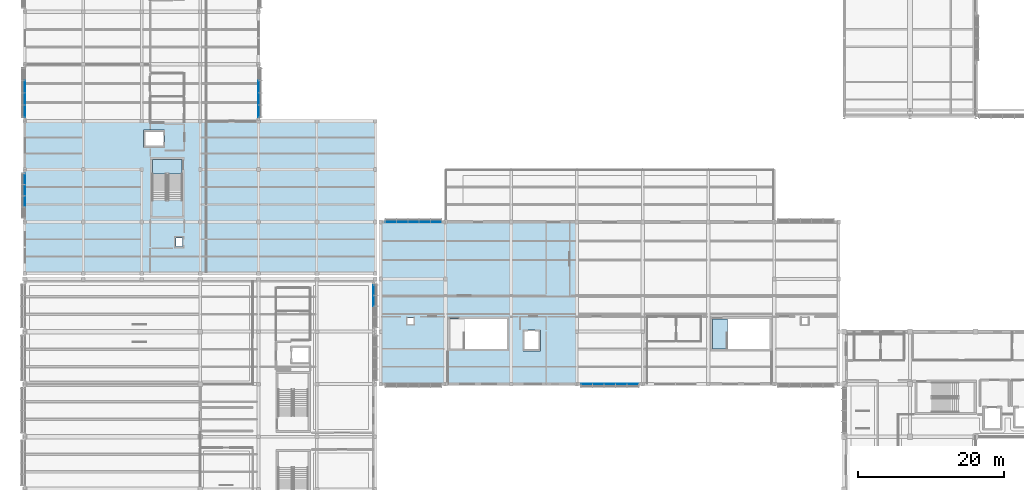
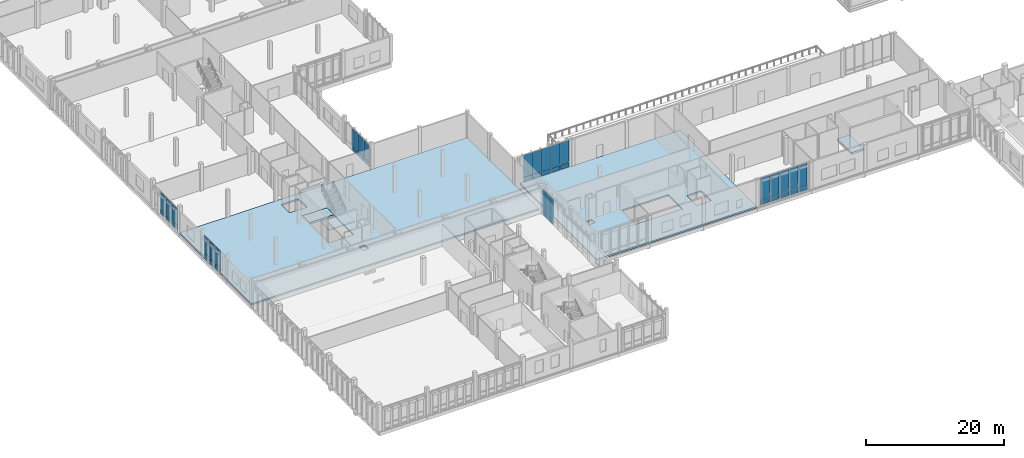
# One storey, part 134 of 177: 42 plates, 5 slabs, 7 elements without a shape of their own.
"""IFC4 building model written with IfcOpenShell, lengths in metres."""

from ifc_helpers import new_model, si_unit, direction, frame, origin, origin_2d, place, context, subcontext, project, spatial, polyline, rectangle, outline, extrude, material, layer, layer_set, type_object, element, aggregate, save


model = new_model("IFC4")

# Units and contexts
model_context = context("Model", 3, precision=1e-05, world=origin(), true_north=direction((0.0, 1.0)))
body_context = subcontext(model_context, "Body", "Model", "MODEL_VIEW")
ifc_project = project(units=[si_unit("LENGTHUNIT", "METRE"), si_unit("AREAUNIT", "SQUARE_METRE"), si_unit("VOLUMEUNIT", "CUBIC_METRE"), si_unit("PLANEANGLEUNIT", "RADIAN"), si_unit("MASSUNIT", "GRAM", prefix="KILO")], contexts=[model_context])

# Site, building, storey
site_placement = place(None, origin())
site = spatial("IfcSite", under=ifc_project, at=site_placement, CompositionType="ELEMENT")
building_placement = place(site_placement, origin())
building = spatial("IfcBuilding", under=site, at=building_placement, Name="Chiffa Square Polytechnic", CompositionType="ELEMENT")
storey_placement = place(building_placement, frame((0.0, 0.0, 4.800048828125)))
storey = spatial("IfcBuildingStorey", under=building, at=storey_placement, Name="L01", CompositionType="ELEMENT", Elevation=4.800048828125)

# Curtain wall, plates
ifc_material_1 = material(Name="Aluminium EN AW-6060 T66 and glulam shading", Category="wood")
curtain_wall_type_1 = type_object("IfcCurtainWallType", Name="CW-VERT-360X380", PredefinedType="USERDEFINED", material=ifc_material_1)
curtain_wall_1_placement = place(storey_placement, origin())
curtain_wall_1 = element("IfcCurtainWall", 1, at=curtain_wall_1_placement, inside=storey, type_object=curtain_wall_type_1, Name="Curtain wall CW-V6-L01-261", ObjectType="CURTAIN WALL", PredefinedType="USERDEFINED")
ifc_material_2 = material(Name="Double glazing", Category="glass")
ifc_layer_1 = layer(ifc_material_2, 0.0458984375, Name="Double glazing")
ifc_layer_set_1 = layer_set([ifc_layer_1], Name="Double glazing")
plate_type_1 = type_object("IfcPlateType", Name="CWP-GLZ-128X106", PredefinedType="CURTAIN_PANEL", material=ifc_layer_set_1)
plate_1_placement = place(storey_placement, frame((0.0, 62.340087890625, 0.839599609375), z_axis=(0.0, 0.0, 1.0), x_axis=(0.0, -1.0, 0.0)))
plate_1 = element("IfcPlate", 2, at=plate_1_placement, type_object=plate_type_1, Name="Glazed curtain panel CW-V6-L01-261-PN02", PredefinedType="CURTAIN_PANEL", context=body_context, shape_type="SweptSolid", body=[
    extrude(rectangle(XDim=1.6279296875, YDim=0.0458984375, at=origin_2d()), origin(), (0.0, 0.0, 1.0), 3.02490234375),
])
plate_2_placement = place(storey_placement, frame((0.0, 60.659912109375, 0.839599609375), z_axis=(0.0, 0.0, 1.0), x_axis=(0.0, -1.0, 0.0)))
plate_2 = element("IfcPlate", 3, at=plate_2_placement, type_object=plate_type_1, Name="Glazed curtain panel CW-V6-L01-261-PN03", PredefinedType="CURTAIN_PANEL", context=body_context, shape_type="SweptSolid", body=[
    extrude(rectangle(XDim=1.6279296875, YDim=0.0458984375, at=origin_2d()), origin(), (0.0, 0.0, 1.0), 3.02490234375),
])
plate_3_placement = place(storey_placement, frame((0.0, 58.990966796875, 0.839599609375), z_axis=(0.0, 0.0, 1.0), x_axis=(0.0, -1.0, 0.0)))
plate_3 = element("IfcPlate", 4, at=plate_3_placement, type_object=plate_type_1, Name="Glazed curtain panel CW-V6-L01-261-PN04", PredefinedType="CURTAIN_PANEL", context=body_context, shape_type="SweptSolid", body=[
    extrude(rectangle(XDim=1.60595703125, YDim=0.0458984375, at=origin_2d()), origin(), (0.0, 0.0, 1.0), 3.02490234375),
])

curtain_wall_type_2 = type_object("IfcCurtainWallType", Name="CW-VERT-540X440", PredefinedType="USERDEFINED", material=ifc_material_1)
curtain_wall_2_placement = place(storey_placement, origin())
curtain_wall_2 = element("IfcCurtainWall", 5, at=curtain_wall_2_placement, inside=storey, type_object=curtain_wall_type_2, Name="Curtain wall CW-V3-L01-159", ObjectType="CURTAIN WALL", PredefinedType="USERDEFINED")
ifc_layer_2 = layer(ifc_material_2, 0.0419921875, Name="Double glazing")
ifc_layer_set_2 = layer_set([ifc_layer_2], Name="Double glazing")
plate_type_2 = type_object("IfcPlateType", Name="CWP-GLZ-136X122", PredefinedType="CURTAIN_PANEL", material=ifc_layer_set_2)
plate_4_placement = place(storey_placement, frame((47.75, 33.009033203125, 0.83984375), z_axis=(0.0, 0.0, 1.0), x_axis=(0.0, 1.0, 0.0)))
plate_4 = element("IfcPlate", 6, at=plate_4_placement, type_object=plate_type_2, Name="Glazed curtain panel CW-V3-L01-159-PN03", PredefinedType="CURTAIN_PANEL", context=body_context, shape_type="SweptSolid", body=[
    extrude(rectangle(XDim=1.416015625, YDim=0.0419921875, at=origin_2d()), origin(), (0.0, 0.0, 1.0), 3.590087890625),
])
plate_5_placement = place(storey_placement, frame((47.75, 34.465087890625, 0.83984375), z_axis=(0.0, 0.0, 1.0), x_axis=(0.0, 1.0, 0.0)))
plate_5 = element("IfcPlate", 7, at=plate_5_placement, type_object=plate_type_2, Name="Glazed curtain panel CW-V3-L01-159-PN04", PredefinedType="CURTAIN_PANEL", context=body_context, shape_type="SweptSolid", body=[
    extrude(rectangle(XDim=1.39404296875, YDim=0.0419921875, at=origin_2d()), origin(), (0.0, 0.0, 1.0), 3.590087890625),
])

curtain_wall_type_3 = type_object("IfcCurtainWallType", Name="CW-VERT-300X380", PredefinedType="USERDEFINED", material=ifc_material_1)
curtain_wall_3_placement = place(storey_placement, origin())
curtain_wall_3 = element("IfcCurtainWall", 8, at=curtain_wall_3_placement, inside=storey, type_object=curtain_wall_type_3, Name="Curtain wall CW-V4-L01-187", ObjectType="CURTAIN WALL", PredefinedType="USERDEFINED")
plate_6_placement = place(storey_placement, frame((56.281982421875, 43.800048828125, 0.83984375), z_axis=(0.0, 0.0, 1.0), x_axis=(-1.0, 0.0, 0.0)))
plate_6 = element("IfcPlate", 9, at=plate_6_placement, type_object=plate_type_2, Name="Glazed curtain panel CW-V4-L01-187-PN01", PredefinedType="CURTAIN_PANEL", context=body_context, shape_type="SweptSolid", body=[
    extrude(rectangle(XDim=1.4599609375, YDim=0.0419921875, at=origin_2d()), origin(), (0.0, 0.0, 1.0), 3.909912109375),
])
plate_7_placement = place(storey_placement, frame((54.759033203125, 43.800048828125, 0.83984375), z_axis=(0.0, 0.0, 1.0), x_axis=(-1.0, 0.0, 0.0)))
plate_7 = element("IfcPlate", 10, at=plate_7_placement, type_object=plate_type_2, Name="Glazed curtain panel CW-V4-L01-187-PN02", PredefinedType="CURTAIN_PANEL", context=body_context, shape_type="SweptSolid", body=[
    extrude(rectangle(XDim=1.48193359375, YDim=0.0419921875, at=origin_2d()), origin(), (0.0, 0.0, 1.0), 3.909912109375),
])
plate_8_placement = place(storey_placement, frame((53.22509765625, 43.800048828125, 0.83984375), z_axis=(0.0, 0.0, 1.0), x_axis=(-1.0, 0.0, 0.0)))
plate_8 = element("IfcPlate", 11, at=plate_8_placement, type_object=plate_type_2, Name="Glazed curtain panel CW-V4-L01-187-PN03", PredefinedType="CURTAIN_PANEL", context=body_context, shape_type="SweptSolid", body=[
    extrude(rectangle(XDim=1.48193359375, YDim=0.0419921875, at=origin_2d()), origin(), (0.0, 0.0, 1.0), 3.909912109375),
])
plate_9_placement = place(storey_placement, frame((51.69091796875, 43.800048828125, 0.83984375), z_axis=(0.0, 0.0, 1.0), x_axis=(-1.0, 0.0, 0.0)))
plate_9 = element("IfcPlate", 12, at=plate_9_placement, type_object=plate_type_2, Name="Glazed curtain panel CW-V4-L01-187-PN04", PredefinedType="CURTAIN_PANEL", context=body_context, shape_type="SweptSolid", body=[
    extrude(rectangle(XDim=1.48193359375, YDim=0.0419921875, at=origin_2d()), origin(), (0.0, 0.0, 1.0), 3.909912109375),
])
plate_10_placement = place(storey_placement, frame((50.16796875, 43.800048828125, 0.83984375), z_axis=(0.0, 0.0, 1.0), x_axis=(-1.0, 0.0, 0.0)))
plate_10 = element("IfcPlate", 13, at=plate_10_placement, type_object=plate_type_2, Name="Glazed curtain panel CW-V4-L01-187-PN05", PredefinedType="CURTAIN_PANEL", context=body_context, shape_type="SweptSolid", body=[
    extrude(rectangle(XDim=1.4599609375, YDim=0.0419921875, at=origin_2d()), origin(), (0.0, 0.0, 1.0), 3.909912109375),
])

curtain_wall_4_placement = place(storey_placement, origin())
curtain_wall_4 = element("IfcCurtainWall", 14, at=curtain_wall_4_placement, inside=storey, type_object=curtain_wall_type_2, Name="Curtain wall CW-V6-L01-255", ObjectType="CURTAIN WALL", PredefinedType="USERDEFINED")
ifc_layer_3 = layer(ifc_material_2, 0.0400390625, Name="Double glazing")
ifc_layer_set_3 = layer_set([ifc_layer_3], Name="Double glazing")
plate_type_3 = type_object("IfcPlateType", Name="CWP-GLZ-140X130", PredefinedType="CURTAIN_PANEL", material=ifc_layer_set_3)
plate_11_placement = place(storey_placement, frame((32.0, 58.990966796875, 0.839599609375), z_axis=(0.0, 0.0, 1.0), x_axis=(0.0, 1.0, 0.0)))
plate_11 = element("IfcPlate", 15, at=plate_11_placement, type_object=plate_type_3, Name="Glazed curtain panel CW-V6-L01-255-PN01", PredefinedType="CURTAIN_PANEL", context=body_context, shape_type="SweptSolid", body=[
    extrude(rectangle(XDim=1.60595703125, YDim=0.0400390625, at=origin_2d()), origin(), (0.0, 0.0, 1.0), 3.02490234375),
])
plate_12_placement = place(storey_placement, frame((32.0, 60.659912109375, 0.839599609375), z_axis=(0.0, 0.0, 1.0), x_axis=(0.0, 1.0, 0.0)))
plate_12 = element("IfcPlate", 16, at=plate_12_placement, type_object=plate_type_3, Name="Glazed curtain panel CW-V6-L01-255-PN02", PredefinedType="CURTAIN_PANEL", context=body_context, shape_type="SweptSolid", body=[
    extrude(rectangle(XDim=1.6279296875, YDim=0.0400390625, at=origin_2d()), origin(), (0.0, 0.0, 1.0), 3.02490234375),
])
plate_13_placement = place(storey_placement, frame((32.0, 62.340087890625, 0.839599609375), z_axis=(0.0, 0.0, 1.0), x_axis=(0.0, 1.0, 0.0)))
plate_13 = element("IfcPlate", 17, at=plate_13_placement, type_object=plate_type_3, Name="Glazed curtain panel CW-V6-L01-255-PN03", PredefinedType="CURTAIN_PANEL", context=body_context, shape_type="SweptSolid", body=[
    extrude(rectangle(XDim=1.6279296875, YDim=0.0400390625, at=origin_2d()), origin(), (0.0, 0.0, 1.0), 3.02490234375),
])

curtain_wall_type_4 = type_object("IfcCurtainWallType", Name="CW-VERT-450X440", PredefinedType="USERDEFINED", material=ifc_material_1)
curtain_wall_5_placement = place(storey_placement, origin())
curtain_wall_5 = element("IfcCurtainWall", 18, at=curtain_wall_5_placement, inside=storey, type_object=curtain_wall_type_4, Name="Curtain wall CW-V4-L01-184", ObjectType="CURTAIN WALL", PredefinedType="USERDEFINED")
ifc_layer_4 = layer(ifc_material_2, 0.0400390625, Name="Double glazing")
ifc_layer_set_4 = layer_set([ifc_layer_4], Name="Double glazing")
plate_type_4 = type_object("IfcPlateType", Name="CWP-GLZ-144X134", PredefinedType="CURTAIN_PANEL", material=ifc_layer_set_4)
plate_14_placement = place(storey_placement, frame((76.943115234375, 21.60009765625, 0.83984375), z_axis=(0.0, 0.0, 1.0), x_axis=(1.0, 0.0, 0.0)))
plate_14 = element("IfcPlate", 19, at=plate_14_placement, type_object=plate_type_4, Name="Glazed curtain panel CW-V4-L01-184-PN01", PredefinedType="CURTAIN_PANEL", context=body_context, shape_type="SweptSolid", body=[
    extrude(rectangle(XDim=1.510009765625, YDim=0.0400390625, at=origin_2d()), origin(), (0.0, 0.0, 1.0), 3.909912109375),
])
plate_15_placement = place(storey_placement, frame((78.51611328125, 21.60009765625, 0.83984375), z_axis=(0.0, 0.0, 1.0), x_axis=(1.0, 0.0, 0.0)))
plate_15 = element("IfcPlate", 20, at=plate_15_placement, type_object=plate_type_4, Name="Glazed curtain panel CW-V4-L01-184-PN02", PredefinedType="CURTAIN_PANEL", context=body_context, shape_type="SweptSolid", body=[
    extrude(rectangle(XDim=1.531982421875, YDim=0.0400390625, at=origin_2d()), origin(), (0.0, 0.0, 1.0), 3.909912109375),
])
plate_16_placement = place(storey_placement, frame((80.10009765625, 21.60009765625, 0.83984375), z_axis=(0.0, 0.0, 1.0), x_axis=(1.0, 0.0, 0.0)))
plate_16 = element("IfcPlate", 21, at=plate_16_placement, type_object=plate_type_4, Name="Glazed curtain panel CW-V4-L01-184-PN03", PredefinedType="CURTAIN_PANEL", context=body_context, shape_type="SweptSolid", body=[
    extrude(rectangle(XDim=1.531982421875, YDim=0.0400390625, at=origin_2d()), origin(), (0.0, 0.0, 1.0), 3.909912109375),
])
plate_17_placement = place(storey_placement, frame((81.68408203125, 21.60009765625, 0.83984375), z_axis=(0.0, 0.0, 1.0), x_axis=(1.0, 0.0, 0.0)))
plate_17 = element("IfcPlate", 22, at=plate_17_placement, type_object=plate_type_4, Name="Glazed curtain panel CW-V4-L01-184-PN04", PredefinedType="CURTAIN_PANEL", context=body_context, shape_type="SweptSolid", body=[
    extrude(rectangle(XDim=1.531982421875, YDim=0.0400390625, at=origin_2d()), origin(), (0.0, 0.0, 1.0), 3.909912109375),
])
plate_18_placement = place(storey_placement, frame((83.257080078125, 21.60009765625, 0.83984375), z_axis=(0.0, 0.0, 1.0), x_axis=(1.0, 0.0, 0.0)))
plate_18 = element("IfcPlate", 23, at=plate_18_placement, type_object=plate_type_4, Name="Glazed curtain panel CW-V4-L01-184-PN05", PredefinedType="CURTAIN_PANEL", context=body_context, shape_type="SweptSolid", body=[
    extrude(rectangle(XDim=1.510009765625, YDim=0.0400390625, at=origin_2d()), origin(), (0.0, 0.0, 1.0), 3.909912109375),
])

curtain_wall_type_5 = type_object("IfcCurtainWallType", Name="CW-VERT-480X380", PredefinedType="USERDEFINED", material=ifc_material_1)
curtain_wall_6_placement = place(storey_placement, origin())
curtain_wall_6 = element("IfcCurtainWall", 24, at=curtain_wall_6_placement, inside=storey, type_object=curtain_wall_type_5, Name="Curtain wall CW-V6-L01-262", ObjectType="CURTAIN WALL", PredefinedType="USERDEFINED")
ifc_layer_5 = layer(ifc_material_2, 0.035888671875, Name="Double glazing")
ifc_layer_set_5 = layer_set([ifc_layer_5], Name="Double glazing")
plate_type_5 = type_object("IfcPlateType", Name="CWP-GLZ-150X145", PredefinedType="CURTAIN_PANEL", material=ifc_layer_set_5)
plate_19_placement = place(storey_placement, frame((0.0, 49.68408203125, 0.839599609375), z_axis=(0.0, 0.0, 1.0), x_axis=(0.0, -1.0, 0.0)))
plate_19 = element("IfcPlate", 25, at=plate_19_placement, type_object=plate_type_5, Name="Glazed curtain panel CW-V6-L01-262-PN01", PredefinedType="CURTAIN_PANEL", context=body_context, shape_type="SweptSolid", body=[
    extrude(rectangle(XDim=1.4560546875, YDim=0.035888671875, at=origin_2d()), origin(), (0.0, 0.0, 1.0), 3.02490234375),
])
plate_20_placement = place(storey_placement, frame((0.0, 48.1650390625, 0.839599609375), z_axis=(0.0, 0.0, 1.0), x_axis=(0.0, -1.0, 0.0)))
plate_20 = element("IfcPlate", 26, at=plate_20_placement, type_object=plate_type_5, Name="Glazed curtain panel CW-V6-L01-262-PN02", PredefinedType="CURTAIN_PANEL", context=body_context, shape_type="SweptSolid", body=[
    extrude(rectangle(XDim=1.47802734375, YDim=0.035888671875, at=origin_2d()), origin(), (0.0, 0.0, 1.0), 3.02490234375),
])
plate_21_placement = place(storey_placement, frame((0.0, 46.635009765625, 0.839599609375), z_axis=(0.0, 0.0, 1.0), x_axis=(0.0, -1.0, 0.0)))
plate_21 = element("IfcPlate", 27, at=plate_21_placement, type_object=plate_type_5, Name="Glazed curtain panel CW-V6-L01-262-PN03", PredefinedType="CURTAIN_PANEL", context=body_context, shape_type="SweptSolid", body=[
    extrude(rectangle(XDim=1.47802734375, YDim=0.035888671875, at=origin_2d()), origin(), (0.0, 0.0, 1.0), 3.02490234375),
])

# Plate
ifc_material_3 = material(Name="Aluminium insulated spandrel", Category="aluminium")
ifc_layer_6 = layer(ifc_material_3, 0.072021484375, Name="Aluminium insulated spandrel")
ifc_layer_set_6 = layer_set([ifc_layer_6], Name="Aluminium insulated spandrel")
plate_type_6 = type_object("IfcPlateType", Name="CWP-SPN-136X072", PredefinedType="SHEET", material=ifc_layer_set_6)
plate_22_placement = place(storey_placement, frame((0.0, 62.340087890625, 0.050048828125), z_axis=(0.0, 0.0, 1.0), x_axis=(0.0, -1.0, 0.0)))
plate_22 = element("IfcPlate", 28, at=plate_22_placement, type_object=plate_type_6, Name="Spandrel panel CW-V6-L01-261-SP02", PredefinedType="SHEET", context=body_context, shape_type="SweptSolid", body=[
    extrude(rectangle(XDim=1.6279296875, YDim=0.072021484375, at=origin_2d()), origin(), (0.0, 0.0, 1.0), 0.75),
])

plate_23_placement = place(storey_placement, frame((0.0, 60.659912109375, 0.050048828125), z_axis=(0.0, 0.0, 1.0), x_axis=(0.0, -1.0, 0.0)))
plate_23 = element("IfcPlate", 29, at=plate_23_placement, type_object=plate_type_6, Name="Spandrel panel CW-V6-L01-261-SP03", PredefinedType="SHEET", context=body_context, shape_type="SweptSolid", body=[
    extrude(rectangle(XDim=1.6279296875, YDim=0.072021484375, at=origin_2d()), origin(), (0.0, 0.0, 1.0), 0.75),
])

plate_24_placement = place(storey_placement, frame((0.0, 58.990966796875, 0.050048828125), z_axis=(0.0, 0.0, 1.0), x_axis=(0.0, -1.0, 0.0)))
plate_24 = element("IfcPlate", 30, at=plate_24_placement, type_object=plate_type_6, Name="Spandrel panel CW-V6-L01-261-SP04", PredefinedType="SHEET", context=body_context, shape_type="SweptSolid", body=[
    extrude(rectangle(XDim=1.60595703125, YDim=0.072021484375, at=origin_2d()), origin(), (0.0, 0.0, 1.0), 0.75),
])

aggregate(curtain_wall_1, [plate_22, plate_1, plate_23, plate_2, plate_24, plate_3])

ifc_layer_7 = layer(ifc_material_3, 0.068115234375, Name="Aluminium insulated spandrel")
ifc_layer_set_7 = layer_set([ifc_layer_7], Name="Aluminium insulated spandrel")
plate_type_7 = type_object("IfcPlateType", Name="CWP-SPN-140X076", PredefinedType="SHEET", material=ifc_layer_set_7)
plate_25_placement = place(storey_placement, frame((56.281982421875, 43.800048828125, 0.050048828125), z_axis=(0.0, 0.0, 1.0), x_axis=(-1.0, 0.0, 0.0)))
plate_25 = element("IfcPlate", 31, at=plate_25_placement, type_object=plate_type_7, Name="Spandrel panel CW-V4-L01-187-SP01", PredefinedType="SHEET", context=body_context, shape_type="SweptSolid", body=[
    extrude(rectangle(XDim=1.4599609375, YDim=0.068115234375, at=origin_2d()), origin(), (0.0, 0.0, 1.0), 0.75),
])

plate_26_placement = place(storey_placement, frame((54.759033203125, 43.800048828125, 0.050048828125), z_axis=(0.0, 0.0, 1.0), x_axis=(-1.0, 0.0, 0.0)))
plate_26 = element("IfcPlate", 32, at=plate_26_placement, type_object=plate_type_7, Name="Spandrel panel CW-V4-L01-187-SP02", PredefinedType="SHEET", context=body_context, shape_type="SweptSolid", body=[
    extrude(rectangle(XDim=1.48193359375, YDim=0.068115234375, at=origin_2d()), origin(), (0.0, 0.0, 1.0), 0.75),
])

plate_27_placement = place(storey_placement, frame((53.22509765625, 43.800048828125, 0.050048828125), z_axis=(0.0, 0.0, 1.0), x_axis=(-1.0, 0.0, 0.0)))
plate_27 = element("IfcPlate", 33, at=plate_27_placement, type_object=plate_type_7, Name="Spandrel panel CW-V4-L01-187-SP03", PredefinedType="SHEET", context=body_context, shape_type="SweptSolid", body=[
    extrude(rectangle(XDim=1.48193359375, YDim=0.068115234375, at=origin_2d()), origin(), (0.0, 0.0, 1.0), 0.75),
])

plate_28_placement = place(storey_placement, frame((51.69091796875, 43.800048828125, 0.050048828125), z_axis=(0.0, 0.0, 1.0), x_axis=(-1.0, 0.0, 0.0)))
plate_28 = element("IfcPlate", 34, at=plate_28_placement, type_object=plate_type_7, Name="Spandrel panel CW-V4-L01-187-SP04", PredefinedType="SHEET", context=body_context, shape_type="SweptSolid", body=[
    extrude(rectangle(XDim=1.48193359375, YDim=0.068115234375, at=origin_2d()), origin(), (0.0, 0.0, 1.0), 0.75),
])

plate_29_placement = place(storey_placement, frame((50.16796875, 43.800048828125, 0.050048828125), z_axis=(0.0, 0.0, 1.0), x_axis=(-1.0, 0.0, 0.0)))
plate_29 = element("IfcPlate", 35, at=plate_29_placement, type_object=plate_type_7, Name="Spandrel panel CW-V4-L01-187-SP05", PredefinedType="SHEET", context=body_context, shape_type="SweptSolid", body=[
    extrude(rectangle(XDim=1.4599609375, YDim=0.068115234375, at=origin_2d()), origin(), (0.0, 0.0, 1.0), 0.75),
])

aggregate(curtain_wall_3, [plate_25, plate_6, plate_26, plate_7, plate_27, plate_8, plate_28, plate_9, plate_29, plate_10])

ifc_layer_8 = layer(ifc_material_3, 0.06201171875, Name="Aluminium insulated spandrel")
ifc_layer_set_8 = layer_set([ifc_layer_8], Name="Aluminium insulated spandrel")
plate_type_8 = type_object("IfcPlateType", Name="CWP-SPN-148X084", PredefinedType="SHEET", material=ifc_layer_set_8)
plate_30_placement = place(storey_placement, frame((76.943115234375, 21.60009765625, 0.050048828125), z_axis=(0.0, 0.0, 1.0), x_axis=(1.0, 0.0, 0.0)))
plate_30 = element("IfcPlate", 36, at=plate_30_placement, type_object=plate_type_8, Name="Spandrel panel CW-V4-L01-184-SP01", PredefinedType="SHEET", context=body_context, shape_type="SweptSolid", body=[
    extrude(rectangle(XDim=1.510009765625, YDim=0.06201171875, at=origin_2d()), origin(), (0.0, 0.0, 1.0), 0.75),
])

plate_31_placement = place(storey_placement, frame((78.51611328125, 21.60009765625, 0.050048828125), z_axis=(0.0, 0.0, 1.0), x_axis=(1.0, 0.0, 0.0)))
plate_31 = element("IfcPlate", 37, at=plate_31_placement, type_object=plate_type_8, Name="Spandrel panel CW-V4-L01-184-SP02", PredefinedType="SHEET", context=body_context, shape_type="SweptSolid", body=[
    extrude(rectangle(XDim=1.531982421875, YDim=0.06201171875, at=origin_2d()), origin(), (0.0, 0.0, 1.0), 0.75),
])

plate_32_placement = place(storey_placement, frame((80.10009765625, 21.60009765625, 0.050048828125), z_axis=(0.0, 0.0, 1.0), x_axis=(1.0, 0.0, 0.0)))
plate_32 = element("IfcPlate", 38, at=plate_32_placement, type_object=plate_type_8, Name="Spandrel panel CW-V4-L01-184-SP03", PredefinedType="SHEET", context=body_context, shape_type="SweptSolid", body=[
    extrude(rectangle(XDim=1.531982421875, YDim=0.06201171875, at=origin_2d()), origin(), (0.0, 0.0, 1.0), 0.75),
])

plate_33_placement = place(storey_placement, frame((81.68408203125, 21.60009765625, 0.050048828125), z_axis=(0.0, 0.0, 1.0), x_axis=(1.0, 0.0, 0.0)))
plate_33 = element("IfcPlate", 39, at=plate_33_placement, type_object=plate_type_8, Name="Spandrel panel CW-V4-L01-184-SP04", PredefinedType="SHEET", context=body_context, shape_type="SweptSolid", body=[
    extrude(rectangle(XDim=1.531982421875, YDim=0.06201171875, at=origin_2d()), origin(), (0.0, 0.0, 1.0), 0.75),
])

plate_34_placement = place(storey_placement, frame((83.257080078125, 21.60009765625, 0.050048828125), z_axis=(0.0, 0.0, 1.0), x_axis=(1.0, 0.0, 0.0)))
plate_34 = element("IfcPlate", 40, at=plate_34_placement, type_object=plate_type_8, Name="Spandrel panel CW-V4-L01-184-SP05", PredefinedType="SHEET", context=body_context, shape_type="SweptSolid", body=[
    extrude(rectangle(XDim=1.510009765625, YDim=0.06201171875, at=origin_2d()), origin(), (0.0, 0.0, 1.0), 0.75),
])

aggregate(curtain_wall_5, [plate_30, plate_14, plate_31, plate_15, plate_32, plate_16, plate_33, plate_17, plate_34, plate_18])

ifc_layer_9 = layer(ifc_material_3, 0.06005859375, Name="Aluminium insulated spandrel")
ifc_layer_set_9 = layer_set([ifc_layer_9], Name="Aluminium insulated spandrel")
plate_type_9 = type_object("IfcPlateType", Name="CWP-SPN-150X080", PredefinedType="SHEET", material=ifc_layer_set_9)
plate_35_placement = place(storey_placement, frame((47.75, 33.009033203125, 0.050048828125), z_axis=(0.0, 0.0, 1.0), x_axis=(0.0, 1.0, 0.0)))
plate_35 = element("IfcPlate", 41, at=plate_35_placement, type_object=plate_type_9, Name="Spandrel panel CW-V3-L01-159-SP03", PredefinedType="SHEET", context=body_context, shape_type="SweptSolid", body=[
    extrude(rectangle(XDim=1.416015625, YDim=0.06005859375, at=origin_2d()), origin(), (0.0, 0.0, 1.0), 0.75),
])

plate_36_placement = place(storey_placement, frame((47.75, 34.465087890625, 0.050048828125), z_axis=(0.0, 0.0, 1.0), x_axis=(0.0, 1.0, 0.0)))
plate_36 = element("IfcPlate", 42, at=plate_36_placement, type_object=plate_type_9, Name="Spandrel panel CW-V3-L01-159-SP04", PredefinedType="SHEET", context=body_context, shape_type="SweptSolid", body=[
    extrude(rectangle(XDim=1.39404296875, YDim=0.06005859375, at=origin_2d()), origin(), (0.0, 0.0, 1.0), 0.75),
])

aggregate(curtain_wall_2, [plate_35, plate_4, plate_36, plate_5])

plate_37_placement = place(storey_placement, frame((32.0, 58.990966796875, 0.050048828125), z_axis=(0.0, 0.0, 1.0), x_axis=(0.0, 1.0, 0.0)))
plate_37 = element("IfcPlate", 43, at=plate_37_placement, type_object=plate_type_9, Name="Spandrel panel CW-V6-L01-255-SP01", PredefinedType="SHEET", context=body_context, shape_type="SweptSolid", body=[
    extrude(rectangle(XDim=1.60595703125, YDim=0.06005859375, at=origin_2d()), origin(), (0.0, 0.0, 1.0), 0.75),
])

plate_38_placement = place(storey_placement, frame((32.0, 60.659912109375, 0.050048828125), z_axis=(0.0, 0.0, 1.0), x_axis=(0.0, 1.0, 0.0)))
plate_38 = element("IfcPlate", 44, at=plate_38_placement, type_object=plate_type_9, Name="Spandrel panel CW-V6-L01-255-SP02", PredefinedType="SHEET", context=body_context, shape_type="SweptSolid", body=[
    extrude(rectangle(XDim=1.6279296875, YDim=0.06005859375, at=origin_2d()), origin(), (0.0, 0.0, 1.0), 0.75),
])

plate_39_placement = place(storey_placement, frame((32.0, 62.340087890625, 0.050048828125), z_axis=(0.0, 0.0, 1.0), x_axis=(0.0, 1.0, 0.0)))
plate_39 = element("IfcPlate", 45, at=plate_39_placement, type_object=plate_type_9, Name="Spandrel panel CW-V6-L01-255-SP03", PredefinedType="SHEET", context=body_context, shape_type="SweptSolid", body=[
    extrude(rectangle(XDim=1.6279296875, YDim=0.06005859375, at=origin_2d()), origin(), (0.0, 0.0, 1.0), 0.75),
])

aggregate(curtain_wall_4, [plate_37, plate_11, plate_38, plate_12, plate_39, plate_13])

ifc_layer_10 = layer(ifc_material_3, 0.06005859375, Name="Aluminium insulated spandrel")
ifc_layer_set_10 = layer_set([ifc_layer_10], Name="Aluminium insulated spandrel")
plate_type_10 = type_object("IfcPlateType", Name="CWP-SPN-150X095", PredefinedType="SHEET", material=ifc_layer_set_10)
plate_40_placement = place(storey_placement, frame((0.0, 49.68408203125, 0.050048828125), z_axis=(0.0, 0.0, 1.0), x_axis=(0.0, -1.0, 0.0)))
plate_40 = element("IfcPlate", 46, at=plate_40_placement, type_object=plate_type_10, Name="Spandrel panel CW-V6-L01-262-SP01", PredefinedType="SHEET", context=body_context, shape_type="SweptSolid", body=[
    extrude(rectangle(XDim=1.4560546875, YDim=0.06005859375, at=origin_2d()), origin(), (0.0, 0.0, 1.0), 0.75),
])

plate_41_placement = place(storey_placement, frame((0.0, 48.1650390625, 0.050048828125), z_axis=(0.0, 0.0, 1.0), x_axis=(0.0, -1.0, 0.0)))
plate_41 = element("IfcPlate", 47, at=plate_41_placement, type_object=plate_type_10, Name="Spandrel panel CW-V6-L01-262-SP02", PredefinedType="SHEET", context=body_context, shape_type="SweptSolid", body=[
    extrude(rectangle(XDim=1.47802734375, YDim=0.06005859375, at=origin_2d()), origin(), (0.0, 0.0, 1.0), 0.75),
])

plate_42_placement = place(storey_placement, frame((0.0, 46.635009765625, 0.050048828125), z_axis=(0.0, 0.0, 1.0), x_axis=(0.0, -1.0, 0.0)))
plate_42 = element("IfcPlate", 48, at=plate_42_placement, type_object=plate_type_10, Name="Spandrel panel CW-V6-L01-262-SP03", PredefinedType="SHEET", context=body_context, shape_type="SweptSolid", body=[
    extrude(rectangle(XDim=1.47802734375, YDim=0.06005859375, at=origin_2d()), origin(), (0.0, 0.0, 1.0), 0.75),
])

aggregate(curtain_wall_6, [plate_40, plate_19, plate_41, plate_20, plate_42, plate_21])

# Slabs
ifc_material_4 = material(Name="Concrete C35/45", Category="concrete")
ifc_layer_11 = layer(ifc_material_4, 0.280029296875, Name="Concrete C35/45")
ifc_layer_set_11 = layer_set([ifc_layer_11], Name="Concrete C35/45")
slab_type_1 = type_object("IfcSlabType", Name="SLB-FLR-280", PredefinedType="FLOOR", material=ifc_layer_set_11)
slab_1_placement = place(storey_placement, frame((0.0, 0.0, -0.280029296875)))
element("IfcSlab", 49, at=slab_1_placement, inside=storey, type_object=slab_type_1, Name="V4 L01 structural slab SLB-V4-L01-016", PredefinedType="FLOOR", context=body_context, shape_type="SweptSolid", body=[
    extrude(outline(polyline([(48.85009765625, 21.60009765625), (48.85009765625, 43.800048828125), (75.60009765625, 43.800048828125), (75.60009765625, 21.60009765625), (48.85009765625, 21.60009765625)]), holes=[polyline([(58.199951171875, 30.550048828125), (66.0, 30.550048828125), (66.0, 26.449951171875), (58.199951171875, 26.449951171875), (58.199951171875, 30.550048828125)]), polyline([(68.199951171875, 29.050048828125), (70.60009765625, 29.050048828125), (70.60009765625, 26.14990234375), (68.199951171875, 26.14990234375), (68.199951171875, 29.050048828125)]), polyline([(52.35009765625, 30.64990234375), (53.25, 30.64990234375), (53.25, 29.800048828125), (52.35009765625, 29.800048828125), (52.35009765625, 30.64990234375)])]), origin(), (0.0, 0.0, 1.0), 0.280029296875),
])
slab_2_placement = place(storey_placement, frame((0.0, 0.0, -0.280029296875)))
element("IfcSlab", 50, at=slab_2_placement, inside=storey, type_object=slab_type_1, Name="V6 L01 structural slab SLB-V6-L01-050", PredefinedType="FLOOR", context=body_context, shape_type="SweptSolid", body=[
    extrude(outline(polyline([(48.0, 36.85009765625), (0.0, 36.85009765625), (0.0, 57.60009765625), (32.0, 57.60009765625), (48.0, 57.60009765625), (48.0, 36.85009765625)]), holes=[polyline([(21.550048828125, 52.39990234375), (21.550048828125, 44.60009765625), (17.449951171875, 44.60009765625), (17.449951171875, 52.39990234375), (21.550048828125, 52.39990234375)]), polyline([(16.25, 56.39990234375), (19.14990234375, 56.39990234375), (19.14990234375, 54.0), (16.25, 54.0), (16.25, 56.39990234375)]), polyline([(20.679931640625, 41.60009765625), (21.6201171875, 41.60009765625), (21.6201171875, 40.449951171875), (20.679931640625, 40.449951171875), (20.679931640625, 41.60009765625)])]), origin(), (0.0, 0.0, 1.0), 0.280029296875),
])
ifc_material_5 = material(Name="Concrete C40/50", Category="concrete")
ifc_layer_12 = layer(ifc_material_5, 0.35009765625, Name="Concrete C40/50")
ifc_layer_set_12 = layer_set([ifc_layer_12], Name="Concrete C40/50")
slab_type_2 = type_object("IfcSlabType", Name="SLB-FLR-350", PredefinedType="FLOOR", material=ifc_layer_set_12)
slab_3_placement = place(storey_placement, frame((0.0, 0.0, -0.35009765625)))
element("IfcSlab", 51, at=slab_3_placement, inside=storey, type_object=slab_type_2, Name="Stair core floor landing slab SLB-CORE-CORE-V4B-L01", PredefinedType="FLOOR", context=body_context, shape_type="SweptSolid", body=[
    extrude(outline(polyline([(94.199951171875, 26.449951171875), (96.2119140625, 26.449951171875), (96.2119140625, 30.550048828125), (94.199951171875, 30.550048828125), (94.199951171875, 26.449951171875)])), origin(), (0.0, 0.0, 1.0), 0.35009765625),
])
slab_4_placement = place(storey_placement, frame((0.0, 0.0, -0.35009765625)))
element("IfcSlab", 52, at=slab_4_placement, inside=storey, type_object=slab_type_2, Name="Stair core floor landing slab SLB-CORE-CORE-V6A-L01", PredefinedType="FLOOR", context=body_context, shape_type="SweptSolid", body=[
    extrude(outline(polyline([(17.449951171875, 52.39990234375), (17.449951171875, 50.387939453125), (21.550048828125, 50.387939453125), (21.550048828125, 52.39990234375), (17.449951171875, 52.39990234375)])), origin(), (0.0, 0.0, 1.0), 0.35009765625),
])

# Stair, slab
stair_type = type_object("IfcStairType", Name="STAIR-DOG-1950", PredefinedType="HALF_TURN_STAIR", material=ifc_material_4)
stair_placement = place(storey_placement, origin())
stair = element("IfcStair", 53, at=stair_placement, inside=storey, type_object=stair_type, Name="L01 Enclosed exit stair ST-V6A", PredefinedType="HALF_TURN_STAIR")
ifc_layer_13 = layer(ifc_material_4, 0.199951171875, Name="Concrete C35/45")
ifc_layer_set_13 = layer_set([ifc_layer_13], Name="Concrete C35/45")
slab_type_3 = type_object("IfcSlabType", Name="SLB-LND-200", PredefinedType="LANDING", material=ifc_layer_set_13)
slab_5_placement = place(storey_placement, frame((0.0, 0.0, 2.199951171875)))
slab_5 = element("IfcSlab", 54, at=slab_5_placement, type_object=slab_type_3, Name="ST-V6A landing 1", PredefinedType="LANDING", context=body_context, shape_type="SweptSolid", body=[
    extrude(outline(polyline([(17.330078125, 46.8798828125), (21.669921875, 46.8798828125), (21.669921875, 44.47998046875), (17.330078125, 44.47998046875), (17.330078125, 46.8798828125)])), origin(), (0.0, 0.0, 1.0), 0.199951171875),
])
aggregate(stair, [slab_5])

save(model, "model.ifc")
